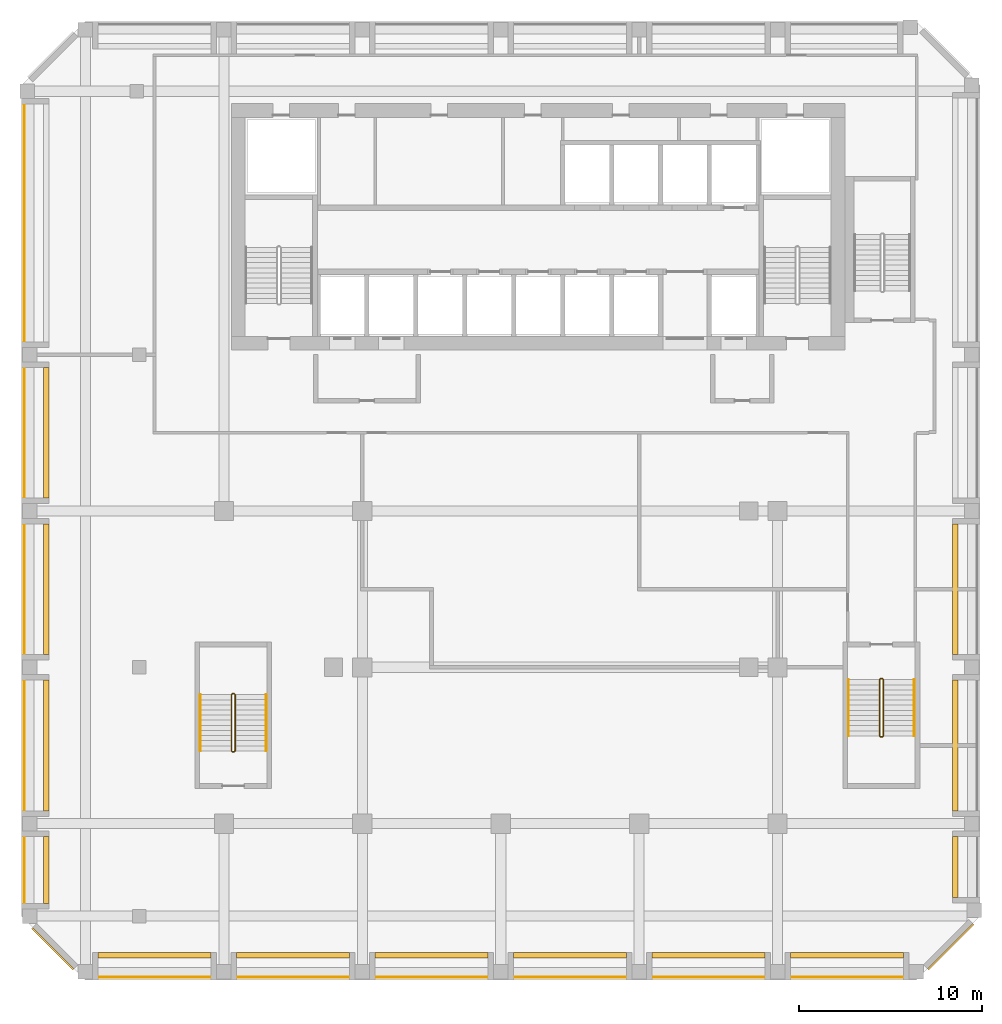
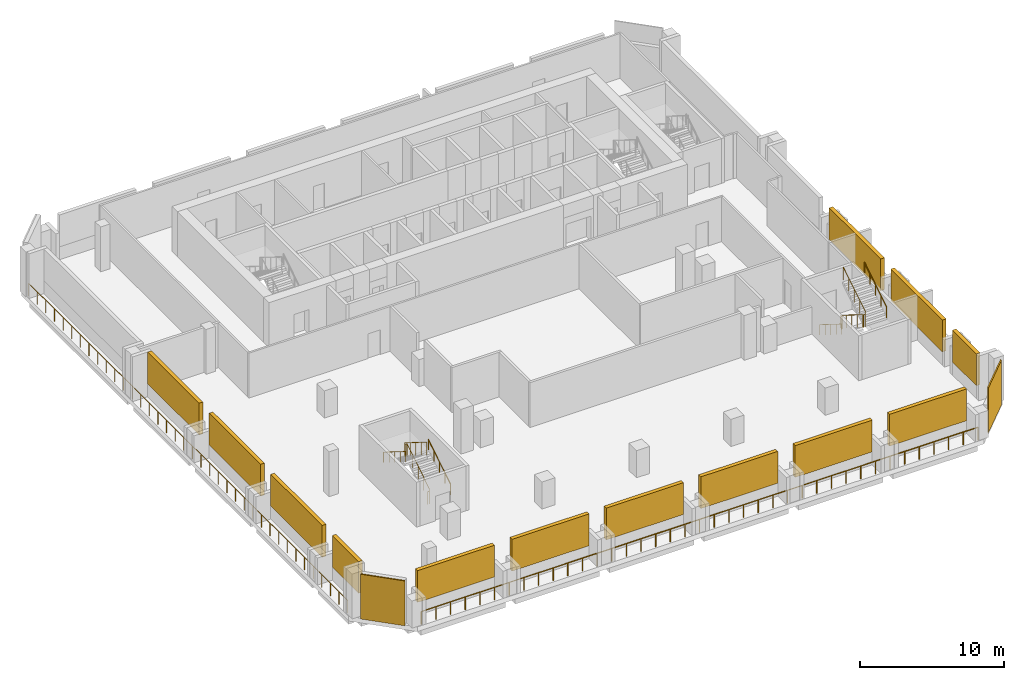
# One storey, part 7 of 9: 15 shading devices, 8 railings.
"""IFC4 building model written with IfcOpenShell, lengths in metres."""

from ifc_helpers import new_model, si_unit, direction, frame, origin, origin_2d, place, context, subcontext, project, spatial, rectangle, circle, extrude, source, transform, mapped, material, layer, layer_set, type_object, element, save


model = new_model("IFC4")

# Units and contexts
model_context = context("Model", 3, precision=1e-05, world=origin(), true_north=direction((0.0, 1.0)))
body_context = subcontext(model_context, "Body", "Model", "MODEL_VIEW")
ifc_project = project(units=[si_unit("LENGTHUNIT", "METRE"), si_unit("AREAUNIT", "SQUARE_METRE"), si_unit("VOLUMEUNIT", "CUBIC_METRE"), si_unit("PLANEANGLEUNIT", "RADIAN"), si_unit("MASSUNIT", "GRAM", prefix="KILO")], contexts=[model_context])

# Site, building, storey
site_placement = place(None, origin())
site = spatial("IfcSite", under=ifc_project, at=site_placement, CompositionType="ELEMENT")
building_placement = place(site_placement, origin())
building = spatial("IfcBuilding", under=site, at=building_placement, Name="Kilnfold Tower and Market Hall", CompositionType="ELEMENT")
storey_placement = place(building_placement, frame((0.0, 0.0, 195.699951171875)))
storey = spatial("IfcBuildingStorey", under=building, at=storey_placement, Name="L47 Plant Transfer Level", CompositionType="ELEMENT", Elevation=195.699951171875)

# Railings
ifc_material_1 = material(Name="Stainless steel 316", Category="steel")
railing_type_1 = type_object("IfcRailingType", Name="CORE STAIR GUARD 1100", PredefinedType="GUARDRAIL", material=ifc_material_1)
railing_1_placement = place(storey_placement, frame((-15.699951171875, -13.75, 0.0)))
element("IfcRailing", 1, at=railing_1_placement, inside=storey, type_object=railing_type_1, Name="L47 Plant Transfer Level ST3 stair guard 1", PredefinedType="GUARDRAIL", context=body_context, shape_type="SweptSolid", body=[
    extrude(circle(Radius=0.02392578125, at=origin_2d()), frame((0.0, 0.0, 1.076171875), z_axis=(1.0, 0.0, 0.0), x_axis=(0.0, 1.0, 0.0)), (0.0, 0.0, 1.0), 0.099853515625),
    extrude(circle(Radius=0.02392578125, at=origin_2d()), frame((0.099853515625, 0.0, 1.076171875), z_axis=(0.265065253269, 0.265065253269, 0.927081885822), x_axis=(-0.707106781187, 0.707106781187, 0.0)), (0.0, 0.0, 1.0), 0.188720703125),
    extrude(circle(Radius=0.02392578125, at=origin_2d()), frame((0.14990234375, 0.050048828125, 1.2509765625), z_axis=(0.0, 0.847979421464, 0.530029150871), x_axis=(-1.0, 0.0, 0.0)), (0.0, 0.0, 1.0), 3.632080078125),
    extrude(circle(Radius=0.02392578125, at=origin_2d()), frame((0.14990234375, 3.1298828125, 3.17626953125), z_axis=(-0.707106781187, 0.707106781187, 0.0), x_axis=(-0.707106781187, -0.707106781187, 0.0)), (0.0, 0.0, 1.0), 0.07080078125),
    extrude(circle(Radius=0.02392578125, at=origin_2d()), frame((0.099853515625, 3.179931640625, 3.17626953125), z_axis=(-1.0, 0.0, 0.0), x_axis=(0.0, -1.0, 0.0)), (0.0, 0.0, 1.0), 0.099853515625),
    extrude(circle(Radius=0.02392578125, at=origin_2d()), frame((0.0, 3.179931640625, 3.17626953125), z_axis=(-0.265065253269, -0.265065253269, 0.927081885822), x_axis=(0.707106781187, -0.707106781187, 0.0)), (0.0, 0.0, 1.0), 0.188720703125),
    extrude(circle(Radius=0.02392578125, at=origin_2d()), frame((-0.050048828125, 3.1298828125, 3.35107421875), z_axis=(0.0, -0.848009633417, 0.529980812513), x_axis=(1.0, 0.0, 0.0)), (0.0, 0.0, 1.0), 3.6318359375),
    extrude(circle(Radius=0.02099609375, at=origin_2d()), origin(), (0.0, 0.0, 1.0), 1.052001953125),
    extrude(circle(Radius=0.02099609375, at=origin_2d()), frame((0.099853515625, 0.0, 0.0)), (0.0, 0.0, 1.0), 1.052001953125),
    extrude(circle(Radius=0.02099609375, at=origin_2d()), frame((0.14990234375, 0.050048828125, 0.175048828125)), (0.0, 0.0, 1.0), 1.052001953125),
    extrude(circle(Radius=0.02099609375, at=origin_2d()), frame((0.14990234375, 0.820068359375, 0.65625)), (0.0, 0.0, 1.0), 1.052001953125),
    extrude(circle(Radius=0.02099609375, at=origin_2d()), frame((0.14990234375, 1.58984375, 1.1376953125)), (0.0, 0.0, 1.0), 1.052001953125),
    extrude(circle(Radius=0.02099609375, at=origin_2d()), frame((0.14990234375, 2.35986328125, 1.618896484375)), (0.0, 0.0, 1.0), 1.052001953125),
    extrude(circle(Radius=0.02099609375, at=origin_2d()), frame((0.14990234375, 3.1298828125, 2.10009765625)), (0.0, 0.0, 1.0), 1.052001953125),
    extrude(circle(Radius=0.02099609375, at=origin_2d()), frame((0.099853515625, 3.179931640625, 2.10009765625)), (0.0, 0.0, 1.0), 1.052001953125),
    extrude(circle(Radius=0.02099609375, at=origin_2d()), frame((0.0, 3.179931640625, 2.10009765625)), (0.0, 0.0, 1.0), 1.052001953125),
    extrude(circle(Radius=0.02099609375, at=origin_2d()), frame((-0.050048828125, 3.1298828125, 2.275146484375)), (0.0, 0.0, 1.0), 1.052001953125),
    extrude(circle(Radius=0.02099609375, at=origin_2d()), frame((-0.050048828125, 2.35986328125, 2.75634765625)), (0.0, 0.0, 1.0), 1.052001953125),
    extrude(circle(Radius=0.02099609375, at=origin_2d()), frame((-0.050048828125, 1.58984375, 3.237548828125)), (0.0, 0.0, 1.0), 1.052001953125),
    extrude(circle(Radius=0.02099609375, at=origin_2d()), frame((-0.050048828125, 0.820068359375, 3.71875)), (0.0, 0.0, 1.0), 1.052001953125),
    extrude(circle(Radius=0.02099609375, at=origin_2d()), frame((-0.050048828125, 0.050048828125, 4.199951171875)), (0.0, 0.0, 1.0), 1.052001953125),
])
railing_2_placement = place(storey_placement, frame((19.89990234375, -9.75, 0.0)))
element("IfcRailing", 2, at=railing_2_placement, inside=storey, type_object=railing_type_1, Name="L47 Plant Transfer Level ST4 stair guard 1", PredefinedType="GUARDRAIL", context=body_context, shape_type="SweptSolid", body=[
    extrude(circle(Radius=0.02392578125, at=origin_2d()), frame((0.0, 0.0, 1.076171875), z_axis=(-1.0, 0.0, 0.0), x_axis=(0.0, -1.0, 0.0)), (0.0, 0.0, 1.0), 0.099853515625),
    extrude(circle(Radius=0.02392578125, at=origin_2d()), frame((-0.099853515625, 0.0, 1.076171875), z_axis=(-0.265065253269, -0.265065253269, 0.927081885822), x_axis=(0.707106781187, -0.707106781187, 0.0)), (0.0, 0.0, 1.0), 0.188720703125),
    extrude(circle(Radius=0.02392578125, at=origin_2d()), frame((-0.14990234375, -0.050048828125, 1.2509765625), z_axis=(0.0, -0.847979421464, 0.530029150871), x_axis=(1.0, 0.0, 0.0)), (0.0, 0.0, 1.0), 3.632080078125),
    extrude(circle(Radius=0.02392578125, at=origin_2d()), frame((-0.14990234375, -3.1298828125, 3.17626953125), z_axis=(0.707106781187, -0.707106781187, 0.0), x_axis=(0.707106781187, 0.707106781187, 0.0)), (0.0, 0.0, 1.0), 0.07080078125),
    extrude(circle(Radius=0.02392578125, at=origin_2d()), frame((-0.099853515625, -3.179931640625, 3.17626953125), z_axis=(1.0, 0.0, 0.0), x_axis=(0.0, 1.0, 0.0)), (0.0, 0.0, 1.0), 0.099853515625),
    extrude(circle(Radius=0.02392578125, at=origin_2d()), frame((0.0, -3.179931640625, 3.17626953125), z_axis=(0.265065253269, 0.265065253269, 0.927081885822), x_axis=(-0.707106781187, 0.707106781187, 0.0)), (0.0, 0.0, 1.0), 0.188720703125),
    extrude(circle(Radius=0.02392578125, at=origin_2d()), frame((0.050048828125, -3.1298828125, 3.35107421875), z_axis=(0.0, 0.848009633417, 0.529980812513), x_axis=(-1.0, 0.0, 0.0)), (0.0, 0.0, 1.0), 3.6318359375),
    extrude(circle(Radius=0.02099609375, at=origin_2d()), origin(), (0.0, 0.0, 1.0), 1.052001953125),
    extrude(circle(Radius=0.02099609375, at=origin_2d()), frame((-0.099853515625, 0.0, 0.0)), (0.0, 0.0, 1.0), 1.052001953125),
    extrude(circle(Radius=0.02099609375, at=origin_2d()), frame((-0.14990234375, -0.050048828125, 0.175048828125)), (0.0, 0.0, 1.0), 1.052001953125),
    extrude(circle(Radius=0.02099609375, at=origin_2d()), frame((-0.14990234375, -0.820068359375, 0.65625)), (0.0, 0.0, 1.0), 1.052001953125),
    extrude(circle(Radius=0.02099609375, at=origin_2d()), frame((-0.14990234375, -1.58984375, 1.1376953125)), (0.0, 0.0, 1.0), 1.052001953125),
    extrude(circle(Radius=0.02099609375, at=origin_2d()), frame((-0.14990234375, -2.35986328125, 1.618896484375)), (0.0, 0.0, 1.0), 1.052001953125),
    extrude(circle(Radius=0.02099609375, at=origin_2d()), frame((-0.14990234375, -3.1298828125, 2.10009765625)), (0.0, 0.0, 1.0), 1.052001953125),
    extrude(circle(Radius=0.02099609375, at=origin_2d()), frame((-0.099853515625, -3.179931640625, 2.10009765625)), (0.0, 0.0, 1.0), 1.052001953125),
    extrude(circle(Radius=0.02099609375, at=origin_2d()), frame((0.0, -3.179931640625, 2.10009765625)), (0.0, 0.0, 1.0), 1.052001953125),
    extrude(circle(Radius=0.02099609375, at=origin_2d()), frame((0.050048828125, -3.1298828125, 2.275146484375)), (0.0, 0.0, 1.0), 1.052001953125),
    extrude(circle(Radius=0.02099609375, at=origin_2d()), frame((0.050048828125, -2.35986328125, 2.75634765625)), (0.0, 0.0, 1.0), 1.052001953125),
    extrude(circle(Radius=0.02099609375, at=origin_2d()), frame((0.050048828125, -1.58984375, 3.237548828125)), (0.0, 0.0, 1.0), 1.052001953125),
    extrude(circle(Radius=0.02099609375, at=origin_2d()), frame((0.050048828125, -0.820068359375, 3.71875)), (0.0, 0.0, 1.0), 1.052001953125),
    extrude(circle(Radius=0.02099609375, at=origin_2d()), frame((0.050048828125, -0.050048828125, 4.199951171875)), (0.0, 0.0, 1.0), 1.052001953125),
])
ifc_material_2 = material(Name="Stainless steel 316", Category="steel")
railing_type_2 = type_object("IfcRailingType", Name="CORE STAIR HANDRAIL 900", PredefinedType="HANDRAIL", material=ifc_material_2)
railing_3_placement = place(storey_placement, frame((-13.85009765625, -13.699951171875, 0.175048828125)))
element("IfcRailing", 3, at=railing_3_placement, inside=storey, type_object=railing_type_2, Name="L47 Plant Transfer Level ST3 stair handrail 1", PredefinedType="HANDRAIL", context=body_context, shape_type="SweptSolid", body=[
    extrude(circle(Radius=0.02392578125, at=origin_2d()), frame((0.0, 0.0, 0.8759765625), z_axis=(0.0, 0.847979421464, 0.530029150871), x_axis=(-1.0, 0.0, 0.0)), (0.0, 0.0, 1.0), 3.632080078125),
    extrude(circle(Radius=0.02099609375, at=origin_2d()), origin(), (0.0, 0.0, 1.0), 0.851806640625),
    extrude(circle(Radius=0.02099609375, at=origin_2d()), frame((0.0, 0.77001953125, 0.481201171875)), (0.0, 0.0, 1.0), 0.851806640625),
    extrude(circle(Radius=0.02099609375, at=origin_2d()), frame((0.0, 1.5400390625, 0.96240234375)), (0.0, 0.0, 1.0), 0.851806640625),
    extrude(circle(Radius=0.02099609375, at=origin_2d()), frame((0.0, 2.309814453125, 1.44384765625)), (0.0, 0.0, 1.0), 0.851806640625),
    extrude(circle(Radius=0.02099609375, at=origin_2d()), frame((0.0, 3.079833984375, 1.925048828125)), (0.0, 0.0, 1.0), 0.851806640625),
])
railing_4_placement = place(storey_placement, frame((-17.449951171875, -10.6201171875, 2.275146484375)))
element("IfcRailing", 4, at=railing_4_placement, inside=storey, type_object=railing_type_2, Name="L47 Plant Transfer Level ST3 stair handrail 2", PredefinedType="HANDRAIL", context=body_context, shape_type="SweptSolid", body=[
    extrude(circle(Radius=0.02392578125, at=origin_2d()), frame((0.0, 0.0, 0.8759765625), z_axis=(0.0, -0.848009633417, 0.529980812513), x_axis=(1.0, 0.0, 0.0)), (0.0, 0.0, 1.0), 3.6318359375),
    extrude(circle(Radius=0.02099609375, at=origin_2d()), origin(), (0.0, 0.0, 1.0), 0.851806640625),
    extrude(circle(Radius=0.02099609375, at=origin_2d()), frame((0.0, -0.77001953125, 0.481201171875)), (0.0, 0.0, 1.0), 0.851806640625),
    extrude(circle(Radius=0.02099609375, at=origin_2d()), frame((0.0, -1.5400390625, 0.96240234375)), (0.0, 0.0, 1.0), 0.851806640625),
    extrude(circle(Radius=0.02099609375, at=origin_2d()), frame((0.0, -2.309814453125, 1.443603515625)), (0.0, 0.0, 1.0), 0.851806640625),
    extrude(circle(Radius=0.02099609375, at=origin_2d()), frame((0.0, -3.079833984375, 1.9248046875)), (0.0, 0.0, 1.0), 0.851806640625),
])
railing_5_placement = place(storey_placement, frame((18.050048828125, -9.800048828125, 0.175048828125)))
element("IfcRailing", 5, at=railing_5_placement, inside=storey, type_object=railing_type_2, Name="L47 Plant Transfer Level ST4 stair handrail 1", PredefinedType="HANDRAIL", context=body_context, shape_type="SweptSolid", body=[
    extrude(circle(Radius=0.02392578125, at=origin_2d()), frame((0.0, 0.0, 0.8759765625), z_axis=(0.0, -0.847979421464, 0.530029150871), x_axis=(1.0, 0.0, 0.0)), (0.0, 0.0, 1.0), 3.632080078125),
    extrude(circle(Radius=0.02099609375, at=origin_2d()), origin(), (0.0, 0.0, 1.0), 0.851806640625),
    extrude(circle(Radius=0.02099609375, at=origin_2d()), frame((0.0, -0.77001953125, 0.481201171875)), (0.0, 0.0, 1.0), 0.851806640625),
    extrude(circle(Radius=0.02099609375, at=origin_2d()), frame((0.0, -1.5400390625, 0.96240234375)), (0.0, 0.0, 1.0), 0.851806640625),
    extrude(circle(Radius=0.02099609375, at=origin_2d()), frame((0.0, -2.309814453125, 1.44384765625)), (0.0, 0.0, 1.0), 0.851806640625),
    extrude(circle(Radius=0.02099609375, at=origin_2d()), frame((0.0, -3.079833984375, 1.925048828125)), (0.0, 0.0, 1.0), 0.851806640625),
])
railing_6_placement = place(storey_placement, frame((21.64990234375, -12.8798828125, 2.275146484375)))
element("IfcRailing", 6, at=railing_6_placement, inside=storey, type_object=railing_type_2, Name="L47 Plant Transfer Level ST4 stair handrail 2", PredefinedType="HANDRAIL", context=body_context, shape_type="SweptSolid", body=[
    extrude(circle(Radius=0.02392578125, at=origin_2d()), frame((0.0, 0.0, 0.8759765625), z_axis=(0.0, 0.848009633417, 0.529980812513), x_axis=(-1.0, 0.0, 0.0)), (0.0, 0.0, 1.0), 3.6318359375),
    extrude(circle(Radius=0.02099609375, at=origin_2d()), origin(), (0.0, 0.0, 1.0), 0.851806640625),
    extrude(circle(Radius=0.02099609375, at=origin_2d()), frame((0.0, 0.77001953125, 0.481201171875)), (0.0, 0.0, 1.0), 0.851806640625),
    extrude(circle(Radius=0.02099609375, at=origin_2d()), frame((0.0, 1.5400390625, 0.96240234375)), (0.0, 0.0, 1.0), 0.851806640625),
    extrude(circle(Radius=0.02099609375, at=origin_2d()), frame((0.0, 2.309814453125, 1.443603515625)), (0.0, 0.0, 1.0), 0.851806640625),
    extrude(circle(Radius=0.02099609375, at=origin_2d()), frame((0.0, 3.079833984375, 1.9248046875)), (0.0, 0.0, 1.0), 0.851806640625),
])
ifc_material_3 = material(Name="Stainless steel and laminated glass", Category="steel")
railing_type_3 = type_object("IfcRailingType", Name="GUARD 1100", PredefinedType="GUARDRAIL", material=ifc_material_3)
railing_7_placement = place(storey_placement, frame((-23.35009765625, -26.10009765625, 0.0)))
element("IfcRailing", 7, at=railing_7_placement, inside=storey, type_object=railing_type_3, Name="Guard plant edge S L47", PredefinedType="GUARDRAIL", context=body_context, shape_type="SweptSolid", body=[
    extrude(circle(Radius=0.02490234375, at=origin_2d()), frame((0.0, 0.0, 1.0751953125), z_axis=(1.0, 0.0, 0.0), x_axis=(0.0, 1.0, 0.0)), (0.0, 0.0, 1.0), 44.7001953125),
    extrude(circle(Radius=0.02490234375, at=origin_2d()), origin(), (0.0, 0.0, 1.0), 1.050048828125),
    extrude(circle(Radius=0.02490234375, at=origin_2d()), frame((1.17626953125, 0.0, 0.0)), (0.0, 0.0, 1.0), 1.050048828125),
    extrude(circle(Radius=0.02490234375, at=origin_2d()), frame((2.3525390625, 0.0, 0.0)), (0.0, 0.0, 1.0), 1.050048828125),
    extrude(circle(Radius=0.02490234375, at=origin_2d()), frame((3.529052734375, 0.0, 0.0)), (0.0, 0.0, 1.0), 1.050048828125),
    extrude(circle(Radius=0.02490234375, at=origin_2d()), frame((4.705322265625, 0.0, 0.0)), (0.0, 0.0, 1.0), 1.050048828125),
    extrude(circle(Radius=0.02490234375, at=origin_2d()), frame((5.881591796875, 0.0, 0.0)), (0.0, 0.0, 1.0), 1.050048828125),
    extrude(circle(Radius=0.02490234375, at=origin_2d()), frame((7.057861328125, 0.0, 0.0)), (0.0, 0.0, 1.0), 1.050048828125),
    extrude(circle(Radius=0.02490234375, at=origin_2d()), frame((8.234130859375, 0.0, 0.0)), (0.0, 0.0, 1.0), 1.050048828125),
    extrude(circle(Radius=0.02490234375, at=origin_2d()), frame((9.41064453125, 0.0, 0.0)), (0.0, 0.0, 1.0), 1.050048828125),
    extrude(circle(Radius=0.02490234375, at=origin_2d()), frame((10.5869140625, 0.0, 0.0)), (0.0, 0.0, 1.0), 1.050048828125),
    extrude(circle(Radius=0.02490234375, at=origin_2d()), frame((11.76318359375, 0.0, 0.0)), (0.0, 0.0, 1.0), 1.050048828125),
    extrude(circle(Radius=0.02490234375, at=origin_2d()), frame((12.939453125, 0.0, 0.0)), (0.0, 0.0, 1.0), 1.050048828125),
    extrude(circle(Radius=0.02490234375, at=origin_2d()), frame((14.115966796875, 0.0, 0.0)), (0.0, 0.0, 1.0), 1.050048828125),
    extrude(circle(Radius=0.02490234375, at=origin_2d()), frame((15.292236328125, 0.0, 0.0)), (0.0, 0.0, 1.0), 1.050048828125),
    extrude(circle(Radius=0.02490234375, at=origin_2d()), frame((16.468505859375, 0.0, 0.0)), (0.0, 0.0, 1.0), 1.050048828125),
    extrude(circle(Radius=0.02490234375, at=origin_2d()), frame((17.644775390625, 0.0, 0.0)), (0.0, 0.0, 1.0), 1.050048828125),
    extrude(circle(Radius=0.02490234375, at=origin_2d()), frame((18.821044921875, 0.0, 0.0)), (0.0, 0.0, 1.0), 1.050048828125),
    extrude(circle(Radius=0.02490234375, at=origin_2d()), frame((19.99755859375, 0.0, 0.0)), (0.0, 0.0, 1.0), 1.050048828125),
    extrude(circle(Radius=0.02490234375, at=origin_2d()), frame((21.173828125, 0.0, 0.0)), (0.0, 0.0, 1.0), 1.050048828125),
    extrude(circle(Radius=0.02490234375, at=origin_2d()), frame((22.35009765625, 0.0, 0.0)), (0.0, 0.0, 1.0), 1.050048828125),
    extrude(circle(Radius=0.02490234375, at=origin_2d()), frame((23.5263671875, 0.0, 0.0)), (0.0, 0.0, 1.0), 1.050048828125),
    extrude(circle(Radius=0.02490234375, at=origin_2d()), frame((24.70263671875, 0.0, 0.0)), (0.0, 0.0, 1.0), 1.050048828125),
    extrude(circle(Radius=0.02490234375, at=origin_2d()), frame((25.879150390625, 0.0, 0.0)), (0.0, 0.0, 1.0), 1.050048828125),
    extrude(circle(Radius=0.02490234375, at=origin_2d()), frame((27.055419921875, 0.0, 0.0)), (0.0, 0.0, 1.0), 1.050048828125),
    extrude(circle(Radius=0.02490234375, at=origin_2d()), frame((28.231689453125, 0.0, 0.0)), (0.0, 0.0, 1.0), 1.050048828125),
    extrude(circle(Radius=0.02490234375, at=origin_2d()), frame((29.407958984375, 0.0, 0.0)), (0.0, 0.0, 1.0), 1.050048828125),
    extrude(circle(Radius=0.02490234375, at=origin_2d()), frame((30.584228515625, 0.0, 0.0)), (0.0, 0.0, 1.0), 1.050048828125),
    extrude(circle(Radius=0.02490234375, at=origin_2d()), frame((31.7607421875, 0.0, 0.0)), (0.0, 0.0, 1.0), 1.050048828125),
    extrude(circle(Radius=0.02490234375, at=origin_2d()), frame((32.93701171875, 0.0, 0.0)), (0.0, 0.0, 1.0), 1.050048828125),
    extrude(circle(Radius=0.02490234375, at=origin_2d()), frame((34.11328125, 0.0, 0.0)), (0.0, 0.0, 1.0), 1.050048828125),
    extrude(circle(Radius=0.02490234375, at=origin_2d()), frame((35.28955078125, 0.0, 0.0)), (0.0, 0.0, 1.0), 1.050048828125),
    extrude(circle(Radius=0.02490234375, at=origin_2d()), frame((36.466064453125, 0.0, 0.0)), (0.0, 0.0, 1.0), 1.050048828125),
    extrude(circle(Radius=0.02490234375, at=origin_2d()), frame((37.642333984375, 0.0, 0.0)), (0.0, 0.0, 1.0), 1.050048828125),
    extrude(circle(Radius=0.02490234375, at=origin_2d()), frame((38.818603515625, 0.0, 0.0)), (0.0, 0.0, 1.0), 1.050048828125),
    extrude(circle(Radius=0.02490234375, at=origin_2d()), frame((39.994873046875, 0.0, 0.0)), (0.0, 0.0, 1.0), 1.050048828125),
    extrude(circle(Radius=0.02490234375, at=origin_2d()), frame((41.171142578125, 0.0, 0.0)), (0.0, 0.0, 1.0), 1.050048828125),
    extrude(circle(Radius=0.02490234375, at=origin_2d()), frame((42.34765625, 0.0, 0.0)), (0.0, 0.0, 1.0), 1.050048828125),
    extrude(circle(Radius=0.02490234375, at=origin_2d()), frame((43.52392578125, 0.0, 0.0)), (0.0, 0.0, 1.0), 1.050048828125),
    extrude(circle(Radius=0.02490234375, at=origin_2d()), frame((44.7001953125, 0.0, 0.0)), (0.0, 0.0, 1.0), 1.050048828125),
])
railing_8_placement = place(storey_placement, frame((-27.10009765625, 22.03173828125, 0.0)))
element("IfcRailing", 8, at=railing_8_placement, inside=storey, type_object=railing_type_3, Name="Guard plant edge W L47", PredefinedType="GUARDRAIL", context=body_context, shape_type="SweptSolid", body=[
    extrude(circle(Radius=0.02490234375, at=origin_2d()), frame((0.0, 0.0, 1.0751953125), z_axis=(0.0, -1.0, 0.0), x_axis=(1.0, 0.0, 0.0)), (0.0, 0.0, 1.0), 44.3818359375),
    extrude(circle(Radius=0.02490234375, at=origin_2d()), origin(), (0.0, 0.0, 1.0), 1.050048828125),
    extrude(circle(Radius=0.02490234375, at=origin_2d()), frame((0.0, -1.199462890625, 0.0)), (0.0, 0.0, 1.0), 1.050048828125),
    extrude(circle(Radius=0.02490234375, at=origin_2d()), frame((0.0, -2.39892578125, 0.0)), (0.0, 0.0, 1.0), 1.050048828125),
    extrude(circle(Radius=0.02490234375, at=origin_2d()), frame((0.0, -3.5986328125, 0.0)), (0.0, 0.0, 1.0), 1.050048828125),
    extrude(circle(Radius=0.02490234375, at=origin_2d()), frame((0.0, -4.798095703125, 0.0)), (0.0, 0.0, 1.0), 1.050048828125),
    extrude(circle(Radius=0.02490234375, at=origin_2d()), frame((0.0, -5.99755859375, 0.0)), (0.0, 0.0, 1.0), 1.050048828125),
    extrude(circle(Radius=0.02490234375, at=origin_2d()), frame((0.0, -7.197021484375, 0.0)), (0.0, 0.0, 1.0), 1.050048828125),
    extrude(circle(Radius=0.02490234375, at=origin_2d()), frame((0.0, -8.396484375, 0.0)), (0.0, 0.0, 1.0), 1.050048828125),
    extrude(circle(Radius=0.02490234375, at=origin_2d()), frame((0.0, -9.59619140625, 0.0)), (0.0, 0.0, 1.0), 1.050048828125),
    extrude(circle(Radius=0.02490234375, at=origin_2d()), frame((0.0, -10.795654296875, 0.0)), (0.0, 0.0, 1.0), 1.050048828125),
    extrude(circle(Radius=0.02490234375, at=origin_2d()), frame((0.0, -11.9951171875, 0.0)), (0.0, 0.0, 1.0), 1.050048828125),
    extrude(circle(Radius=0.02490234375, at=origin_2d()), frame((0.0, -13.194580078125, 0.0)), (0.0, 0.0, 1.0), 1.050048828125),
    extrude(circle(Radius=0.02490234375, at=origin_2d()), frame((0.0, -14.39404296875, 0.0)), (0.0, 0.0, 1.0), 1.050048828125),
    extrude(circle(Radius=0.02490234375, at=origin_2d()), frame((0.0, -15.593505859375, 0.0)), (0.0, 0.0, 1.0), 1.050048828125),
    extrude(circle(Radius=0.02490234375, at=origin_2d()), frame((0.0, -16.793212890625, 0.0)), (0.0, 0.0, 1.0), 1.050048828125),
    extrude(circle(Radius=0.02490234375, at=origin_2d()), frame((0.0, -17.99267578125, 0.0)), (0.0, 0.0, 1.0), 1.050048828125),
    extrude(circle(Radius=0.02490234375, at=origin_2d()), frame((0.0, -19.192138671875, 0.0)), (0.0, 0.0, 1.0), 1.050048828125),
    extrude(circle(Radius=0.02490234375, at=origin_2d()), frame((0.0, -20.3916015625, 0.0)), (0.0, 0.0, 1.0), 1.050048828125),
    extrude(circle(Radius=0.02490234375, at=origin_2d()), frame((0.0, -21.591064453125, 0.0)), (0.0, 0.0, 1.0), 1.050048828125),
    extrude(circle(Radius=0.02490234375, at=origin_2d()), frame((0.0, -22.790771484375, 0.0)), (0.0, 0.0, 1.0), 1.050048828125),
    extrude(circle(Radius=0.02490234375, at=origin_2d()), frame((0.0, -23.990234375, 0.0)), (0.0, 0.0, 1.0), 1.050048828125),
    extrude(circle(Radius=0.02490234375, at=origin_2d()), frame((0.0, -25.189697265625, 0.0)), (0.0, 0.0, 1.0), 1.050048828125),
    extrude(circle(Radius=0.02490234375, at=origin_2d()), frame((0.0, -26.38916015625, 0.0)), (0.0, 0.0, 1.0), 1.050048828125),
    extrude(circle(Radius=0.02490234375, at=origin_2d()), frame((0.0, -27.588623046875, 0.0)), (0.0, 0.0, 1.0), 1.050048828125),
    extrude(circle(Radius=0.02490234375, at=origin_2d()), frame((0.0, -28.788330078125, 0.0)), (0.0, 0.0, 1.0), 1.050048828125),
    extrude(circle(Radius=0.02490234375, at=origin_2d()), frame((0.0, -29.98779296875, 0.0)), (0.0, 0.0, 1.0), 1.050048828125),
    extrude(circle(Radius=0.02490234375, at=origin_2d()), frame((0.0, -31.187255859375, 0.0)), (0.0, 0.0, 1.0), 1.050048828125),
    extrude(circle(Radius=0.02490234375, at=origin_2d()), frame((0.0, -32.38671875, 0.0)), (0.0, 0.0, 1.0), 1.050048828125),
    extrude(circle(Radius=0.02490234375, at=origin_2d()), frame((0.0, -33.586181640625, 0.0)), (0.0, 0.0, 1.0), 1.050048828125),
    extrude(circle(Radius=0.02490234375, at=origin_2d()), frame((0.0, -34.78564453125, 0.0)), (0.0, 0.0, 1.0), 1.050048828125),
    extrude(circle(Radius=0.02490234375, at=origin_2d()), frame((0.0, -35.9853515625, 0.0)), (0.0, 0.0, 1.0), 1.050048828125),
    extrude(circle(Radius=0.02490234375, at=origin_2d()), frame((0.0, -37.184814453125, 0.0)), (0.0, 0.0, 1.0), 1.050048828125),
    extrude(circle(Radius=0.02490234375, at=origin_2d()), frame((0.0, -38.38427734375, 0.0)), (0.0, 0.0, 1.0), 1.050048828125),
    extrude(circle(Radius=0.02490234375, at=origin_2d()), frame((0.0, -39.583740234375, 0.0)), (0.0, 0.0, 1.0), 1.050048828125),
    extrude(circle(Radius=0.02490234375, at=origin_2d()), frame((0.0, -40.783203125, 0.0)), (0.0, 0.0, 1.0), 1.050048828125),
    extrude(circle(Radius=0.02490234375, at=origin_2d()), frame((0.0, -41.98291015625, 0.0)), (0.0, 0.0, 1.0), 1.050048828125),
    extrude(circle(Radius=0.02490234375, at=origin_2d()), frame((0.0, -43.182373046875, 0.0)), (0.0, 0.0, 1.0), 1.050048828125),
    extrude(circle(Radius=0.02490234375, at=origin_2d()), frame((0.0, -44.3818359375, 0.0)), (0.0, 0.0, 1.0), 1.050048828125),
])

# Shading devices
ifc_material_4 = material(Name="Anodised aluminium", Category="aluminium")
shading_device_type_1 = type_object("IfcShadingDeviceType", Name="LOUVRE", PredefinedType="JALOUSIE", material=ifc_material_4)
shared_shape_1 = source(origin(), body_context, "Body", "SweptSolid", [
    extrude(rectangle(XDim=6.183349609375, YDim=0.300048828125, at=origin_2d()), origin(), (0.0, 0.0, 1.0), 2.699951171875),
])
for number, where, z_axis, x_axis, name in (
    (9, (-19.958251953125, -24.89990234375, 1.10009765625), (0.0, 0.0, 1.0), (1.0, 0.0, 0.0), "Plant louvre L47 S"),
    (10, (-12.375, -24.89990234375, 1.10009765625), (0.0, 0.0, 1.0), (1.0, 0.0, 0.0), "Plant louvre L47 S"),
    (11, (-4.79150390625, -24.89990234375, 1.10009765625), (0.0, 0.0, 1.0), (1.0, 0.0, 0.0), "Plant louvre L47 S"),
    (12, (2.79150390625, -24.89990234375, 1.10009765625), (0.0, 0.0, 1.0), (1.0, 0.0, 0.0), "Plant louvre L47 S"),
    (13, (10.375, -24.89990234375, 1.10009765625), (0.0, 0.0, 1.0), (1.0, 0.0, 0.0), "Plant louvre L47 S"),
    (14, (17.958251953125, -24.89990234375, 1.10009765625), (0.0, 0.0, 1.0), (1.0, 0.0, 0.0), "Plant louvre L47 S"),
):
    element("IfcShadingDevice", number, at=place(storey_placement, frame(where, z_axis=z_axis, x_axis=x_axis)), inside=storey, type_object=shading_device_type_1, Name=name, ObjectType="LOUVRE", PredefinedType="JALOUSIE", context=body_context, shape_type="MappedRepresentation", body=[
        mapped(shared_shape_1, transform((0.0, 0.0, 0.0))),
    ])
ifc_material_5 = material(Name="Terracotta", Category="masonry")
ifc_layer = layer(ifc_material_5, 0.10009765625)
ifc_layer_set = layer_set([ifc_layer], Name="Terracotta")
shading_device_type_2 = type_object("IfcShadingDeviceType", Name="TERRACOTTA SCREEN 100", PredefinedType="USERDEFINED", material=ifc_layer_set)
shared_shape_2 = source(origin(), body_context, "Body", "SweptSolid", [
    extrude(rectangle(XDim=3.500244140625, YDim=0.10009765625, at=origin_2d()), origin(), (0.0, 0.0, 1.0), 3.800048828125),
])
shading_device_1_placement = place(storey_placement, frame((23.64794921875, -24.4228515625, 0.0), z_axis=(0.0, 0.0, 1.0), x_axis=(0.707106781187, 0.707106781187, 0.0)))
element("IfcShadingDevice", 15, at=shading_device_1_placement, inside=storey, type_object=shading_device_type_2, Name="Plant screen L47 SE", ObjectType="SCREEN", PredefinedType="USERDEFINED", context=body_context, shape_type="MappedRepresentation", body=[
    mapped(shared_shape_2, transform((0.0, 0.0, 0.0))),
])
shared_shape_3 = source(origin(), body_context, "Body", "SweptSolid", [
    extrude(rectangle(XDim=3.181884765625, YDim=0.10009765625, at=origin_2d()), origin(), (0.0, 0.0, 1.0), 3.800048828125),
])
shading_device_2_placement = place(storey_placement, frame((-25.535400390625, -24.535400390625, 0.0), z_axis=(0.0, 0.0, 1.0), x_axis=(0.707106781187, -0.707106781187, 0.0)))
element("IfcShadingDevice", 16, at=shading_device_2_placement, inside=storey, type_object=shading_device_type_2, Name="Plant screen L47 SW", ObjectType="SCREEN", PredefinedType="USERDEFINED", context=body_context, shape_type="MappedRepresentation", body=[
    mapped(shared_shape_3, transform((0.0, 0.0, 0.0))),
])
shared_shape_4 = source(origin(), body_context, "Body", "SweptSolid", [
    extrude(rectangle(XDim=3.34423828125, YDim=0.300048828125, at=origin_2d()), origin(), (0.0, 0.0, 1.0), 2.699951171875),
])
shading_device_3_placement = place(storey_placement, frame((23.89990234375, -20.059814453125, 1.10009765625), z_axis=(0.0, 0.0, 1.0), x_axis=(0.0, 1.0, 0.0)))
element("IfcShadingDevice", 17, at=shading_device_3_placement, inside=storey, type_object=shading_device_type_1, Name="Plant louvre L47 E", ObjectType="LOUVRE", PredefinedType="JALOUSIE", context=body_context, shape_type="MappedRepresentation", body=[
    mapped(shared_shape_4, transform((0.0, 0.0, 0.0))),
])
shared_shape_5 = source(origin(), body_context, "Body", "SweptSolid", [
    extrude(rectangle(XDim=7.16259765625, YDim=0.300048828125, at=origin_2d()), origin(), (0.0, 0.0, 1.0), 2.699951171875),
])
for number, where, z_axis, x_axis, name in (
    (18, (23.89990234375, -13.40625, 1.10009765625), (0.0, 0.0, 1.0), (0.0, 1.0, 0.0), "Plant louvre L47 E"),
    (19, (23.89990234375, -4.84375, 1.10009765625), (0.0, 0.0, 1.0), (0.0, 1.0, 0.0), "Plant louvre L47 E"),
    (20, (-25.89990234375, 3.71875, 1.10009765625), (0.0, 0.0, 1.0), (0.0, -1.0, 0.0), "Plant louvre L47 W"),
    (21, (-25.89990234375, -4.84375, 1.10009765625), (0.0, 0.0, 1.0), (0.0, -1.0, 0.0), "Plant louvre L47 W"),
    (22, (-25.89990234375, -13.40625, 1.10009765625), (0.0, 0.0, 1.0), (0.0, -1.0, 0.0), "Plant louvre L47 W"),
):
    element("IfcShadingDevice", number, at=place(storey_placement, frame(where, z_axis=z_axis, x_axis=x_axis)), inside=storey, type_object=shading_device_type_1, Name=name, ObjectType="LOUVRE", PredefinedType="JALOUSIE", context=body_context, shape_type="MappedRepresentation", body=[
        mapped(shared_shape_5, transform((0.0, 0.0, 0.0))),
    ])
shared_shape_6 = source(origin(), body_context, "Body", "SweptSolid", [
    extrude(rectangle(XDim=3.66259765625, YDim=0.300048828125, at=origin_2d()), origin(), (0.0, 0.0, 1.0), 2.699951171875),
])
shading_device_4_placement = place(storey_placement, frame((-25.89990234375, -20.21875, 1.10009765625), z_axis=(0.0, 0.0, 1.0), x_axis=(0.0, -1.0, 0.0)))
element("IfcShadingDevice", 23, at=shading_device_4_placement, inside=storey, type_object=shading_device_type_1, Name="Plant louvre L47 W", ObjectType="LOUVRE", PredefinedType="JALOUSIE", context=body_context, shape_type="MappedRepresentation", body=[
    mapped(shared_shape_6, transform((0.0, 0.0, 0.0))),
])

save(model, "model.ifc")
